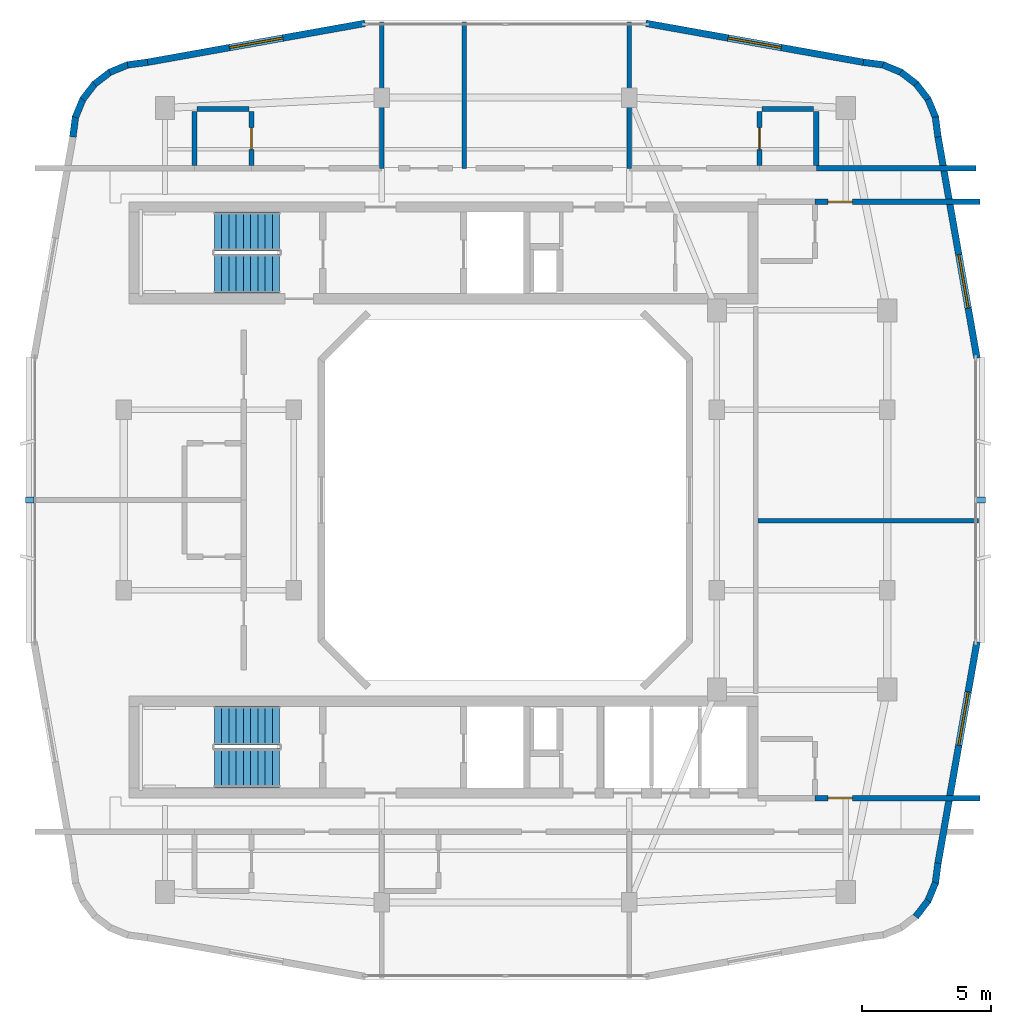
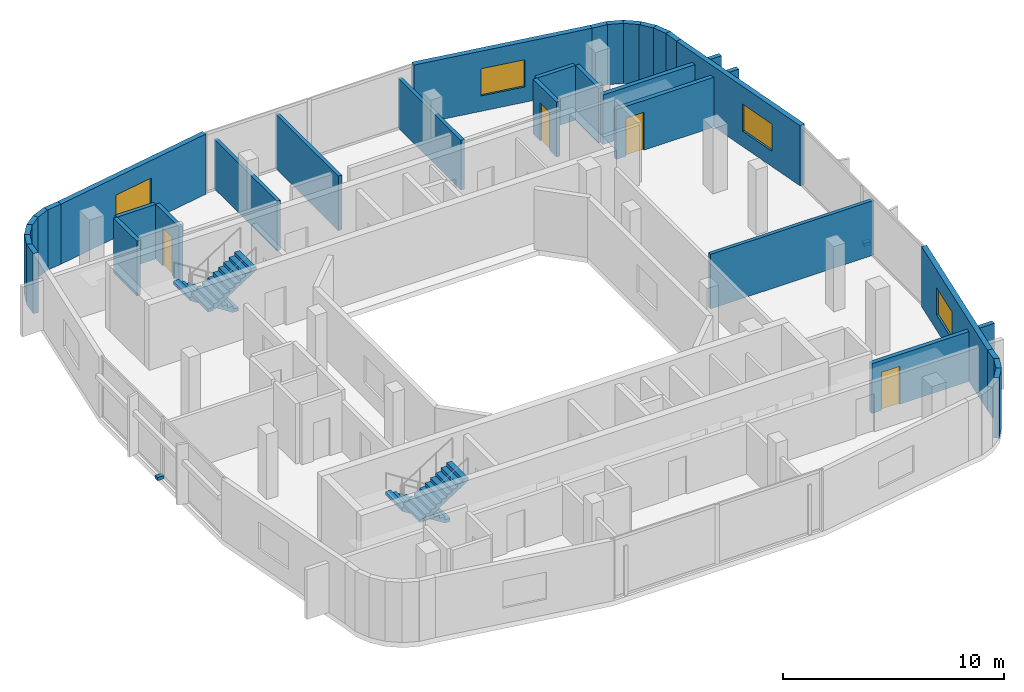
# One storey, part 7 of 10: 32 walls, 4 doors, 4 stair flights, 4 windows, 2 discrete accessories, 8 openings, 2 elements without a shape of their own.
"""IFC4 building model written with IfcOpenShell, lengths in metres."""

from ifc_helpers import new_model, si_unit, derived_unit, direction, frame, frame_2d, origin, origin_2d, place, context, subcontext, project, spatial, polyline, rectangle, outline, extrude, material, layer, layer_set, type_object, element, fill, aggregate, save


model = new_model("IFC4")

# Units and contexts
model_context = context("Model", 3, precision=1e-05, world=origin(), true_north=direction((0.0, 1.0)))
body_context = subcontext(model_context, "Body", "Model", "MODEL_VIEW")
ifc_project = project(units=[si_unit("LENGTHUNIT", "METRE"), si_unit("AREAUNIT", "SQUARE_METRE"), si_unit("VOLUMEUNIT", "CUBIC_METRE"), si_unit("PLANEANGLEUNIT", "RADIAN"), si_unit("MASSUNIT", "GRAM", prefix="KILO"), derived_unit("THERMALTRANSMITTANCEUNIT", [(si_unit("POWERUNIT", "WATT"), 1), (si_unit("LENGTHUNIT", "METRE"), -2), (si_unit("THERMODYNAMICTEMPERATUREUNIT", "KELVIN"), -1)])], contexts=[model_context])

# Site, building, storey
site_placement = place(None, origin())
site = spatial("IfcSite", under=ifc_project, at=site_placement, CompositionType="ELEMENT")
building_placement = place(site_placement, origin())
building = spatial("IfcBuilding", under=site, at=building_placement, Name="Kivonza Crest Hotel", CompositionType="ELEMENT")
storey_placement = place(building_placement, frame((0.0, 0.0, 246.800048828125)))
storey = spatial("IfcBuildingStorey", under=building, at=storey_placement, Name="L67", CompositionType="ELEMENT", Elevation=246.800048828125)

# Walls
ifc_material_1 = material(Name="High-density acoustic masonry inter-tenancy wall", Category="masonry")
ifc_layer_1 = layer(ifc_material_1, 0.179931640625)
ifc_layer_set_1 = layer_set([ifc_layer_1], Name="High-density acoustic masonry inter-tenancy wall")
wall_type_1 = type_object("IfcWallType", Name="WL-ACOU-180", PredefinedType="SOLIDWALL", material=ifc_layer_set_1)
wall_1_placement = place(storey_placement, frame((16.199951171875, 37.860107421875, 0.0), z_axis=(0.0, 0.0, 1.0), x_axis=(0.0, 1.0, 0.0)))
element("IfcWall", 1, at=wall_1_placement, inside=storey, type_object=wall_type_1, Name="L67 interior partition WA-L67-T1N-DIV1", PredefinedType="SOLIDWALL", context=body_context, shape_type="SweptSolid", body=[
    extrude(rectangle(XDim=5.679931640625, YDim=0.179931640625, at=frame_2d((2.83984375, 0.0))), origin(), (0.0, 0.0, 1.0), 2.744873046875),
])
wall_2_placement = place(storey_placement, frame((19.39990234375, 37.860107421875, 0.0), z_axis=(0.0, 0.0, 1.0), x_axis=(0.0, 1.0, 0.0)))
element("IfcWall", 2, at=wall_2_placement, inside=storey, type_object=wall_type_1, Name="L67 interior partition WA-L67-T1N-SPDIV66", PredefinedType="SOLIDWALL", context=body_context, shape_type="SweptSolid", body=[
    extrude(rectangle(XDim=5.679931640625, YDim=0.179931640625, at=frame_2d((2.83984375, 0.0))), origin(), (0.0, 0.0, 1.0), 3.014892578125),
])
wall_3_placement = place(storey_placement, frame((25.800048828125, 37.860107421875, 0.0), z_axis=(0.0, 0.0, 1.0), x_axis=(0.0, 1.0, 0.0)))
element("IfcWall", 3, at=wall_3_placement, inside=storey, type_object=wall_type_1, Name="L67 interior partition WA-L67-T1N-DIV2", PredefinedType="SOLIDWALL", context=body_context, shape_type="SweptSolid", body=[
    extrude(rectangle(XDim=5.679931640625, YDim=0.179931640625, at=frame_2d((2.83984375, 0.0))), origin(), (0.0, 0.0, 1.0), 2.744873046875),
])
wall_4_placement = place(storey_placement, frame((30.800048828125, 24.199951171875, 0.0), z_axis=(0.0, 0.0, 1.0), x_axis=(1.0, 0.0, 0.0)))
element("IfcWall", 4, at=wall_4_placement, inside=storey, type_object=wall_type_1, Name="L67 interior partition WA-L67-T1EC-DIV", PredefinedType="SOLIDWALL", context=body_context, shape_type="SweptSolid", body=[
    extrude(rectangle(XDim=8.5400390625, YDim=0.179931640625, at=frame_2d((4.27001953125, 0.0))), origin(), (0.0, 0.0, 1.0), 3.014892578125),
])
ifc_material_2 = material(Name="Autoclaved aerated concrete blockwork", Category="masonry")
ifc_layer_2 = layer(ifc_material_2, 0.219970703125)
ifc_layer_set_2 = layer_set([ifc_layer_2], Name="Autoclaved aerated concrete blockwork")
wall_type_2 = type_object("IfcWallType", Name="WL-ACOU-220", PredefinedType="SOLIDWALL", material=ifc_layer_set_2)
wall_5_placement = place(storey_placement, frame((33.050048828125, 37.860107421875, 0.0), z_axis=(0.0, 0.0, 1.0), x_axis=(1.0, 0.0, 0.0)))
element("IfcWall", 5, at=wall_5_placement, inside=storey, type_object=wall_type_2, Name="L67 interior partition WA-L67-N02-XCORR", PredefinedType="SOLIDWALL", context=body_context, shape_type="SweptSolid", body=[
    extrude(rectangle(XDim=6.18994140625, YDim=0.219970703125, at=frame_2d((3.094970703125, 0.0))), origin(), (0.0, 0.0, 1.0), 2.744873046875),
])

# Wall, opening, door
wall_6_placement = place(storey_placement, frame((33.0, 13.43994140625, 0.0), z_axis=(0.0, 0.0, 1.0), x_axis=(1.0, 0.0, 0.0)))
wall_6 = element("IfcWall", 6, at=wall_6_placement, inside=storey, type_object=wall_type_2, Name="L67 interior partition WA-L67-ES07-MCORR", PredefinedType="SOLIDWALL", context=body_context, shape_type="SweptSolid", body=[
    extrude(rectangle(XDim=6.39990234375, YDim=0.219970703125, at=frame_2d((3.199951171875, 0.0))), origin(), (0.0, 0.0, 1.0), 2.744873046875),
])
opening_1_placement = place(wall_6_placement, frame((0.5, 0.0, 0.0)))
opening_1 = element("IfcOpeningElement", 7, at=opening_1_placement, cuts=wall_6, Name="Opening DU-60", PredefinedType="OPENING", context=body_context, shape_type="SweptSolid", body=[
    extrude(rectangle(XDim=0.949951171875, YDim=2.10009765625, at=frame_2d((0.47509765625, 1.050048828125))), frame((0.0, 0.1201171875, 0.0), z_axis=(0.0, -1.0, 0.0), x_axis=(1.0, 0.0, 0.0)), (0.0, 0.0, 1.0), 0.239990234375),
])
ifc_material_3 = material(Name="Hardwood timber oak", Category="wood")
door_type_1 = type_object("IfcDoorType", Name="DR-UNIT-950", OperationType="NOTDEFINED", PredefinedType="DOOR", material=ifc_material_3)
door_1_placement = place(opening_1_placement, origin())
door_1 = element("IfcDoor", 8, at=door_1_placement, inside=storey, type_object=door_type_1, Name="L67 ES07 guest unit entrance fire door", OperationType="SINGLE_SWING_RIGHT", OverallHeight=2.10009765625, OverallWidth=0.949951171875, PredefinedType="DOOR", context=body_context, shape_type="SweptSolid", body=[
    extrude(rectangle(XDim=0.949951171875, YDim=2.10009765625, at=frame_2d((0.47509765625, 1.050048828125))), frame((0.0, 0.02490234375, 0.0), z_axis=(0.0, -1.0, 0.0), x_axis=(1.0, 0.0, 0.0)), (0.0, 0.0, 1.0), 0.050048828125),
])
fill(opening_1, door_1)

wall_7_placement = place(storey_placement, frame((33.0, 36.56005859375, 0.0), z_axis=(0.0, 0.0, 1.0), x_axis=(1.0, 0.0, 0.0)))
wall_7 = element("IfcWall", 9, at=wall_7_placement, inside=storey, type_object=wall_type_2, Name="L67 interior partition WA-L67-EN08-MCORR", PredefinedType="SOLIDWALL", context=body_context, shape_type="SweptSolid", body=[
    extrude(rectangle(XDim=6.39990234375, YDim=0.219970703125, at=frame_2d((3.199951171875, 0.0))), origin(), (0.0, 0.0, 1.0), 2.744873046875),
])
opening_2_placement = place(wall_7_placement, frame((0.5, 0.0, 0.0)))
opening_2 = element("IfcOpeningElement", 10, at=opening_2_placement, cuts=wall_7, Name="Opening DU-60", PredefinedType="OPENING", context=body_context, shape_type="SweptSolid", body=[
    extrude(rectangle(XDim=0.949951171875, YDim=2.10009765625, at=frame_2d((0.47509765625, 1.050048828125))), frame((0.0, 0.1201171875, 0.0), z_axis=(0.0, -1.0, 0.0), x_axis=(1.0, 0.0, 0.0)), (0.0, 0.0, 1.0), 0.239990234375),
])
door_2_placement = place(opening_2_placement, frame((0.949951171875, 0.0, 0.0), z_axis=(0.0, 0.0, 1.0), x_axis=(-1.0, 0.0, 0.0)))
door_2 = element("IfcDoor", 11, at=door_2_placement, inside=storey, type_object=door_type_1, Name="L67 EN08 guest unit entrance fire door", OperationType="SINGLE_SWING_LEFT", OverallHeight=2.10009765625, OverallWidth=0.949951171875, PredefinedType="DOOR", context=body_context, shape_type="SweptSolid", body=[
    extrude(rectangle(XDim=0.949951171875, YDim=2.10009765625, at=frame_2d((0.47509765625, 1.050048828125))), frame((0.0, 0.02490234375, 0.0), z_axis=(0.0, -1.0, 0.0), x_axis=(1.0, 0.0, 0.0)), (0.0, 0.0, 1.0), 0.050048828125),
])
fill(opening_2, door_2)

# Walls
ifc_material_4 = material(Name="Precast concrete C40/50", Category="concrete")
ifc_layer_3 = layer(ifc_material_4, 0.260009765625)
ifc_layer_set_3 = layer_set([ifc_layer_3], Name="Precast concrete C40/50")
wall_type_3 = type_object("IfcWallType", Name="WL-EXT-260", PredefinedType="STANDARD", material=ifc_layer_set_3)
wall_8_placement = place(storey_placement, frame((36.903076171875, 8.837890625, 0.0), z_axis=(0.0, 0.0, 1.0), x_axis=(0.608823262828, 0.793305889705, 0.0)))
element("IfcWall", 12, at=wall_8_placement, inside=storey, type_object=wall_type_3, Name="L67 T1 exterior insulated wall 13", PredefinedType="STANDARD", context=body_context, shape_type="SweptSolid", body=[
    extrude(rectangle(XDim=0.798095703125, YDim=0.260009765625, at=frame_2d((0.39892578125, 0.0))), origin(), (0.0, 0.0, 1.0), 3.320068359375),
])
wall_9_placement = place(storey_placement, frame((37.367919921875, 9.427001953125, 0.0), z_axis=(0.0, 0.0, 1.0), x_axis=(0.383161279238, 0.923681457047, 0.0)))
element("IfcWall", 13, at=wall_9_placement, inside=storey, type_object=wall_type_3, Name="L67 T1 exterior insulated wall 14", PredefinedType="STANDARD", context=body_context, shape_type="SweptSolid", body=[
    extrude(rectangle(XDim=0.799072265625, YDim=0.260009765625, at=frame_2d((0.3994140625, 0.0))), origin(), (0.0, 0.0, 1.0), 3.320068359375),
])
wall_10_placement = place(storey_placement, frame((37.666015625, 10.115966796875, 0.0), z_axis=(0.0, 0.0, 1.0), x_axis=(0.129850802102, 0.99153354416, 0.0)))
element("IfcWall", 14, at=wall_10_placement, inside=storey, type_object=wall_type_3, Name="L67 T1 exterior insulated wall 15", PredefinedType="STANDARD", context=body_context, shape_type="SweptSolid", body=[
    extrude(rectangle(XDim=0.81591796875, YDim=0.260009765625, at=frame_2d((0.407958984375, 0.0))), origin(), (0.0, 0.0, 1.0), 3.320068359375),
])

# Wall, opening, window
wall_11_placement = place(storey_placement, frame((37.77099609375, 10.9150390625, 0.0), z_axis=(0.0, 0.0, 1.0), x_axis=(0.173396937698, 0.984852020355, 0.0)))
wall_11 = element("IfcWall", 15, at=wall_11_placement, inside=storey, type_object=wall_type_3, Name="L67 T1 exterior insulated wall 16", PredefinedType="STANDARD", context=body_context, shape_type="SweptSolid", body=[
    extrude(rectangle(XDim=8.714111328125, YDim=0.260009765625, at=frame_2d((4.35693359375, 0.0))), origin(), (0.0, 0.0, 1.0), 3.320068359375),
])
opening_3_placement = place(wall_11_placement, frame((4.64697265625, 0.0, 0.85009765625)))
opening_3 = element("IfcOpeningElement", 16, at=opening_3_placement, cuts=wall_11, Name="Opening WN-04", PredefinedType="OPENING", context=body_context, shape_type="SweptSolid", body=[
    extrude(rectangle(XDim=2.10009765625, YDim=1.5, at=frame_2d((1.050048828125, 0.75))), frame((0.0, 0.14013671875, 0.0), z_axis=(0.0, -1.0, 0.0), x_axis=(1.0, 0.0, 0.0)), (0.0, 0.0, 1.0), 0.280029296875),
])
ifc_material_5 = material(Name="Thermally broken bronze aluminium and low-E double glazing", Category="aluminium")
window_type = type_object("IfcWindowType", Name="WN-210x150", PartitioningType="DOUBLE_PANEL_VERTICAL", PredefinedType="WINDOW", material=ifc_material_5)
window_1_placement = place(opening_3_placement, origin())
window_1 = element("IfcWindow", 17, at=window_1_placement, inside=storey, type_object=window_type, Name="L67 T1 facade window 16", OverallHeight=1.5, OverallWidth=2.10009765625, PartitioningType="SINGLE_PANEL", PredefinedType="WINDOW", context=body_context, shape_type="SweptSolid", body=[
    extrude(rectangle(XDim=2.10009765625, YDim=1.5, at=frame_2d((1.050048828125, 0.75))), frame((0.0, 0.030029296875, 0.0), z_axis=(0.0, -1.0, 0.0), x_axis=(1.0, 0.0, 0.0)), (0.0, 0.0, 1.0), 0.06005859375),
])
fill(opening_3, window_1)

wall_12_placement = place(storey_placement, frame((39.281982421875, 30.5029296875, 0.0), z_axis=(0.0, 0.0, 1.0), x_axis=(-0.173396937698, 0.984852020355, 0.0)))
wall_12 = element("IfcWall", 18, at=wall_12_placement, inside=storey, type_object=wall_type_3, Name="L67 T1 exterior insulated wall 18", PredefinedType="STANDARD", context=body_context, shape_type="SweptSolid", body=[
    extrude(rectangle(XDim=8.714111328125, YDim=0.260009765625, at=frame_2d((4.35693359375, 0.0))), origin(), (0.0, 0.0, 1.0), 3.320068359375),
])
opening_4_placement = place(wall_12_placement, frame((1.967041015625, 0.0, 0.85009765625)))
opening_4 = element("IfcOpeningElement", 19, at=opening_4_placement, cuts=wall_12, Name="Opening WN-04", PredefinedType="OPENING", context=body_context, shape_type="SweptSolid", body=[
    extrude(rectangle(XDim=2.10009765625, YDim=1.5, at=frame_2d((1.050048828125, 0.75))), frame((0.0, 0.14013671875, 0.0), z_axis=(0.0, -1.0, 0.0), x_axis=(1.0, 0.0, 0.0)), (0.0, 0.0, 1.0), 0.280029296875),
])
window_2_placement = place(opening_4_placement, origin())
window_2 = element("IfcWindow", 20, at=window_2_placement, inside=storey, type_object=window_type, Name="L67 T1 facade window 18", OverallHeight=1.5, OverallWidth=2.10009765625, PartitioningType="SINGLE_PANEL", PredefinedType="WINDOW", context=body_context, shape_type="SweptSolid", body=[
    extrude(rectangle(XDim=2.10009765625, YDim=1.5, at=frame_2d((1.050048828125, 0.75))), frame((0.0, 0.030029296875, 0.0), z_axis=(0.0, -1.0, 0.0), x_axis=(1.0, 0.0, 0.0)), (0.0, 0.0, 1.0), 0.06005859375),
])
fill(opening_4, window_2)

# Walls
wall_13_placement = place(storey_placement, frame((37.77197265625, 39.074951171875, 0.0), z_axis=(0.0, 0.0, 1.0), x_axis=(-0.130689052056, 0.991423406861, 0.0)))
element("IfcWall", 21, at=wall_13_placement, inside=storey, type_object=wall_type_3, Name="L67 T1 exterior insulated wall 19", PredefinedType="STANDARD", context=body_context, shape_type="SweptSolid", body=[
    extrude(rectangle(XDim=0.78076171875, YDim=0.260009765625, at=frame_2d((0.390380859375, 0.0))), origin(), (0.0, 0.0, 1.0), 3.320068359375),
])
wall_14_placement = place(storey_placement, frame((37.68798828125, 39.802978515625, 0.0), z_axis=(0.0, 0.0, 1.0), x_axis=(-0.382900540965, 0.923789573295, 0.0)))
element("IfcWall", 22, at=wall_14_placement, inside=storey, type_object=wall_type_3, Name="L67 T1 exterior insulated wall 20", PredefinedType="STANDARD", context=body_context, shape_type="SweptSolid", body=[
    extrude(rectangle(XDim=0.798828125, YDim=0.260009765625, at=frame_2d((0.3994140625, 0.0))), origin(), (0.0, 0.0, 1.0), 3.320068359375),
])
wall_15_placement = place(storey_placement, frame((37.409912109375, 40.5009765625, 0.0), z_axis=(0.0, 0.0, 1.0), x_axis=(-0.608823262828, 0.793305889705, 0.0)))
element("IfcWall", 23, at=wall_15_placement, inside=storey, type_object=wall_type_3, Name="L67 T1 exterior insulated wall 21", PredefinedType="STANDARD", context=body_context, shape_type="SweptSolid", body=[
    extrude(rectangle(XDim=0.798095703125, YDim=0.260009765625, at=frame_2d((0.39892578125, 0.0))), origin(), (0.0, 0.0, 1.0), 3.320068359375),
])
wall_16_placement = place(storey_placement, frame((36.9619140625, 41.10302734375, 0.0), z_axis=(0.0, 0.0, 1.0), x_axis=(-0.793044635519, 0.60916352983, 0.0)))
element("IfcWall", 24, at=wall_16_placement, inside=storey, type_object=wall_type_3, Name="L67 T1 exterior insulated wall 22", PredefinedType="STANDARD", context=body_context, shape_type="SweptSolid", body=[
    extrude(rectangle(XDim=0.7978515625, YDim=0.260009765625, at=frame_2d((0.39892578125, 0.0))), origin(), (0.0, 0.0, 1.0), 3.320068359375),
])
wall_17_placement = place(storey_placement, frame((36.373046875, 41.568115234375, 0.0), z_axis=(0.0, 0.0, 1.0), x_axis=(-0.923789573295, 0.382900540965, 0.0)))
element("IfcWall", 25, at=wall_17_placement, inside=storey, type_object=wall_type_3, Name="L67 T1 exterior insulated wall 23", PredefinedType="STANDARD", context=body_context, shape_type="SweptSolid", body=[
    extrude(rectangle(XDim=0.798828125, YDim=0.260009765625, at=frame_2d((0.3994140625, 0.0))), origin(), (0.0, 0.0, 1.0), 3.320068359375),
])
wall_18_placement = place(storey_placement, frame((35.68408203125, 41.865966796875, 0.0), z_axis=(0.0, 0.0, 1.0), x_axis=(-0.99153354416, 0.129850802102, 0.0)))
element("IfcWall", 26, at=wall_18_placement, inside=storey, type_object=wall_type_3, Name="L67 T1 exterior insulated wall 24", PredefinedType="STANDARD", context=body_context, shape_type="SweptSolid", body=[
    extrude(rectangle(XDim=0.81591796875, YDim=0.260009765625, at=frame_2d((0.407958984375, 0.0))), origin(), (0.0, 0.0, 1.0), 3.320068359375),
])

# Wall, opening, window
wall_19_placement = place(storey_placement, frame((34.885009765625, 41.970947265625, 0.0), z_axis=(0.0, 0.0, 1.0), x_axis=(-0.98435676639, 0.176186709098, 0.0)))
wall_19 = element("IfcWall", 27, at=wall_19_placement, inside=storey, type_object=wall_type_3, Name="L67 T1 exterior insulated wall 25", PredefinedType="STANDARD", context=body_context, shape_type="SweptSolid", body=[
    extrude(rectangle(XDim=8.576171875, YDim=0.260009765625, at=frame_2d((4.2880859375, 0.0))), origin(), (0.0, 0.0, 1.0), 3.320068359375),
])
opening_5_placement = place(wall_19_placement, frame((3.238037109375, 0.0, 0.85009765625)))
opening_5 = element("IfcOpeningElement", 28, at=opening_5_placement, cuts=wall_19, Name="Opening WN-04", PredefinedType="OPENING", context=body_context, shape_type="SweptSolid", body=[
    extrude(rectangle(XDim=2.10009765625, YDim=1.5, at=frame_2d((1.050048828125, 0.75))), frame((0.0, 0.14013671875, 0.0), z_axis=(0.0, -1.0, 0.0), x_axis=(1.0, 0.0, 0.0)), (0.0, 0.0, 1.0), 0.280029296875),
])
window_3_placement = place(opening_5_placement, origin())
window_3 = element("IfcWindow", 29, at=window_3_placement, inside=storey, type_object=window_type, Name="L67 T1 facade window 25", OverallHeight=1.5, OverallWidth=2.10009765625, PartitioningType="SINGLE_PANEL", PredefinedType="WINDOW", context=body_context, shape_type="SweptSolid", body=[
    extrude(rectangle(XDim=2.10009765625, YDim=1.5, at=frame_2d((1.050048828125, 0.75))), frame((0.0, 0.030029296875, 0.0), z_axis=(0.0, -1.0, 0.0), x_axis=(1.0, 0.0, 0.0)), (0.0, 0.0, 1.0), 0.06005859375),
])
fill(opening_5, window_3)

wall_20_placement = place(storey_placement, frame((15.556884765625, 43.48193359375, 0.0), z_axis=(0.0, 0.0, 1.0), x_axis=(-0.98435676639, -0.176186709098, 0.0)))
wall_20 = element("IfcWall", 30, at=wall_20_placement, inside=storey, type_object=wall_type_3, Name="L67 T1 exterior insulated wall 27", PredefinedType="STANDARD", context=body_context, shape_type="SweptSolid", body=[
    extrude(rectangle(XDim=8.576171875, YDim=0.260009765625, at=frame_2d((4.2880859375, 0.0))), origin(), (0.0, 0.0, 1.0), 3.320068359375),
])
opening_6_placement = place(wall_20_placement, frame((3.238037109375, 0.0, 0.85009765625)))
opening_6 = element("IfcOpeningElement", 31, at=opening_6_placement, cuts=wall_20, Name="Opening WN-04", PredefinedType="OPENING", context=body_context, shape_type="SweptSolid", body=[
    extrude(rectangle(XDim=2.10009765625, YDim=1.5, at=frame_2d((1.050048828125, 0.75))), frame((0.0, 0.14013671875, 0.0), z_axis=(0.0, -1.0, 0.0), x_axis=(1.0, 0.0, 0.0)), (0.0, 0.0, 1.0), 0.280029296875),
])
window_4_placement = place(opening_6_placement, origin())
window_4 = element("IfcWindow", 32, at=window_4_placement, inside=storey, type_object=window_type, Name="L67 T1 facade window 27", OverallHeight=1.5, OverallWidth=2.10009765625, PartitioningType="SINGLE_PANEL", PredefinedType="WINDOW", context=body_context, shape_type="SweptSolid", body=[
    extrude(rectangle(XDim=2.10009765625, YDim=1.5, at=frame_2d((1.050048828125, 0.75))), frame((0.0, 0.030029296875, 0.0), z_axis=(0.0, -1.0, 0.0), x_axis=(1.0, 0.0, 0.0)), (0.0, 0.0, 1.0), 0.06005859375),
])
fill(opening_6, window_4)

# Walls
wall_21_placement = place(storey_placement, frame((7.125, 41.971923828125, 0.0), z_axis=(0.0, 0.0, 1.0), x_axis=(-0.991458553189, -0.130422150372, 0.0)))
element("IfcWall", 33, at=wall_21_placement, inside=storey, type_object=wall_type_3, Name="L67 T1 exterior insulated wall 28", PredefinedType="STANDARD", context=body_context, shape_type="SweptSolid", body=[
    extrude(rectangle(XDim=0.780517578125, YDim=0.260009765625, at=frame_2d((0.39013671875, 0.0))), origin(), (0.0, 0.0, 1.0), 3.320068359375),
])
wall_22_placement = place(storey_placement, frame((6.39697265625, 41.887939453125, 0.0), z_axis=(0.0, 0.0, 1.0), x_axis=(-0.923789573295, -0.382900540965, 0.0)))
element("IfcWall", 34, at=wall_22_placement, inside=storey, type_object=wall_type_3, Name="L67 T1 exterior insulated wall 29", PredefinedType="STANDARD", context=body_context, shape_type="SweptSolid", body=[
    extrude(rectangle(XDim=0.798828125, YDim=0.260009765625, at=frame_2d((0.3994140625, 0.0))), origin(), (0.0, 0.0, 1.0), 3.320068359375),
])
for number, where, z_axis, x_axis, name in (
    (35, (5.698974609375, 41.610107421875, 0.0), (0.0, 0.0, 1.0), (-0.793158129381, -0.609015748398, 0.0), "L67 T1 exterior insulated wall 30"),
    (36, (5.096923828125, 41.162109375, 0.0), (0.0, 0.0, 1.0), (-0.608823262828, -0.793305889705, 0.0), "L67 T1 exterior insulated wall 31"),
):
    element("IfcWall", number, at=place(storey_placement, frame(where, z_axis=z_axis, x_axis=x_axis)), inside=storey, type_object=wall_type_3, Name=name, PredefinedType="STANDARD", context=body_context, shape_type="SweptSolid", body=[
        extrude(rectangle(XDim=0.798095703125, YDim=0.260009765625, at=frame_2d((0.39892578125, 0.0))), origin(), (0.0, 0.0, 1.0), 3.320068359375),
    ])
wall_23_placement = place(storey_placement, frame((4.632080078125, 40.572998046875, 0.0), z_axis=(0.0, 0.0, 1.0), x_axis=(-0.383161279238, -0.923681457047, 0.0)))
element("IfcWall", 37, at=wall_23_placement, inside=storey, type_object=wall_type_3, Name="L67 T1 exterior insulated wall 32", PredefinedType="STANDARD", context=body_context, shape_type="SweptSolid", body=[
    extrude(rectangle(XDim=0.799072265625, YDim=0.260009765625, at=frame_2d((0.3994140625, 0.0))), origin(), (0.0, 0.0, 1.0), 3.320068359375),
])
wall_24_placement = place(storey_placement, frame((4.333984375, 39.884033203125, 0.0), z_axis=(0.0, 0.0, 1.0), x_axis=(-0.129850802102, -0.99153354416, 0.0)))
element("IfcWall", 38, at=wall_24_placement, inside=storey, type_object=wall_type_3, Name="L67 T1 exterior insulated wall 33", PredefinedType="STANDARD", context=body_context, shape_type="SweptSolid", body=[
    extrude(rectangle(XDim=0.81591796875, YDim=0.260009765625, at=frame_2d((0.407958984375, 0.0))), origin(), (0.0, 0.0, 1.0), 3.320068359375),
])

# Wall, opening, door
ifc_material_6 = material(Name="Moisture-resistant plumbing chase partition wall", Category="gypsum")
ifc_layer_4 = layer(ifc_material_6, 0.199951171875)
ifc_layer_set_4 = layer_set([ifc_layer_4], Name="Moisture-resistant plumbing chase partition wall")
wall_type_4 = type_object("IfcWallType", Name="WL-PLUMB-200", PredefinedType="PLUMBINGWALL", material=ifc_layer_set_4)
wall_25_placement = place(storey_placement, frame((11.14990234375, 37.9599609375, 0.0), z_axis=(0.0, 0.0, 1.0), x_axis=(0.0, 1.0, 0.0)))
wall_25 = element("IfcWall", 39, at=wall_25_placement, inside=storey, type_object=wall_type_4, Name="L67 interior partition WW-L67-N01-BV", PredefinedType="PLUMBINGWALL", context=body_context, shape_type="SweptSolid", body=[
    extrude(rectangle(XDim=2.10009765625, YDim=0.199951171875, at=frame_2d((1.050048828125, 0.0))), origin(), (0.0, 0.0, 1.0), 3.02490234375),
])
opening_7_placement = place(wall_25_placement, frame((0.625, 0.0, 0.0)))
opening_7 = element("IfcOpeningElement", 40, at=opening_7_placement, cuts=wall_25, Name="Opening DI-85", PredefinedType="OPENING", context=body_context, shape_type="SweptSolid", body=[
    extrude(rectangle(XDim=0.85009765625, YDim=2.10009765625, at=frame_2d((0.425048828125, 1.050048828125))), frame((0.0, 0.10986328125, 0.0), z_axis=(0.0, -1.0, 0.0), x_axis=(1.0, 0.0, 0.0)), (0.0, 0.0, 1.0), 0.219970703125),
])
door_type_2 = type_object("IfcDoorType", Name="DR-INT-850", OperationType="NOTDEFINED", PredefinedType="DOOR", material=ifc_material_3)
door_3_placement = place(opening_7_placement, frame((0.85009765625, 0.0, 0.0), z_axis=(0.0, 0.0, 1.0), x_axis=(-1.0, 0.0, 0.0)))
door_3 = element("IfcDoor", 41, at=door_3_placement, inside=storey, type_object=door_type_2, Name="L67 N01 en-suite bathroom door", OperationType="SINGLE_SWING_RIGHT", OverallHeight=2.10009765625, OverallWidth=0.85009765625, PredefinedType="DOOR", context=body_context, shape_type="SweptSolid", body=[
    extrude(rectangle(XDim=0.85009765625, YDim=2.10009765625, at=frame_2d((0.425048828125, 1.050048828125))), frame((0.0, 0.02490234375, 0.0), z_axis=(0.0, -1.0, 0.0), x_axis=(1.0, 0.0, 0.0)), (0.0, 0.0, 1.0), 0.050048828125),
])
fill(opening_7, door_3)

# Walls
wall_26_placement = place(storey_placement, frame((9.050048828125, 40.159912109375, 0.0), z_axis=(0.0, 0.0, 1.0), x_axis=(1.0, 0.0, 0.0)))
element("IfcWall", 42, at=wall_26_placement, inside=storey, type_object=wall_type_4, Name="L67 interior partition WW-L67-N01-BH", PredefinedType="PLUMBINGWALL", context=body_context, shape_type="SweptSolid", body=[
    extrude(rectangle(XDim=2.0, YDim=0.199951171875, at=frame_2d((1.0, 0.0))), origin(), (0.0, 0.0, 1.0), 3.014892578125),
])
wall_27_placement = place(storey_placement, frame((8.949951171875, 37.9599609375, 0.0), z_axis=(0.0, 0.0, 1.0), x_axis=(0.0, 1.0, 0.0)))
element("IfcWall", 43, at=wall_27_placement, inside=storey, type_object=wall_type_4, Name="L67 interior partition WW-L67-N01-BVW", PredefinedType="PLUMBINGWALL", context=body_context, shape_type="SweptSolid", body=[
    extrude(rectangle(XDim=2.10009765625, YDim=0.199951171875, at=frame_2d((1.050048828125, 0.0))), origin(), (0.0, 0.0, 1.0), 3.02490234375),
])

# Wall, opening, door
wall_28_placement = place(storey_placement, frame((30.85009765625, 37.9599609375, 0.0), z_axis=(0.0, 0.0, 1.0), x_axis=(0.0, 1.0, 0.0)))
wall_28 = element("IfcWall", 44, at=wall_28_placement, inside=storey, type_object=wall_type_4, Name="L67 interior partition WW-L67-N02-BV", PredefinedType="PLUMBINGWALL", context=body_context, shape_type="SweptSolid", body=[
    extrude(rectangle(XDim=2.10009765625, YDim=0.199951171875, at=frame_2d((1.050048828125, 0.0))), origin(), (0.0, 0.0, 1.0), 3.02490234375),
])
opening_8_placement = place(wall_28_placement, frame((0.625, 0.0, 0.0)))
opening_8 = element("IfcOpeningElement", 45, at=opening_8_placement, cuts=wall_28, Name="Opening DI-85", PredefinedType="OPENING", context=body_context, shape_type="SweptSolid", body=[
    extrude(rectangle(XDim=0.85009765625, YDim=2.10009765625, at=frame_2d((0.425048828125, 1.050048828125))), frame((0.0, 0.10986328125, 0.0), z_axis=(0.0, -1.0, 0.0), x_axis=(1.0, 0.0, 0.0)), (0.0, 0.0, 1.0), 0.219970703125),
])
door_4_placement = place(opening_8_placement, origin())
door_4 = element("IfcDoor", 46, at=door_4_placement, inside=storey, type_object=door_type_2, Name="L67 N02 en-suite bathroom door", OperationType="SINGLE_SWING_LEFT", OverallHeight=2.10009765625, OverallWidth=0.85009765625, PredefinedType="DOOR", context=body_context, shape_type="SweptSolid", body=[
    extrude(rectangle(XDim=0.85009765625, YDim=2.10009765625, at=frame_2d((0.425048828125, 1.050048828125))), frame((0.0, 0.02490234375, 0.0), z_axis=(0.0, -1.0, 0.0), x_axis=(1.0, 0.0, 0.0)), (0.0, 0.0, 1.0), 0.050048828125),
])
fill(opening_8, door_4)

# Walls
wall_29_placement = place(storey_placement, frame((30.949951171875, 40.159912109375, 0.0), z_axis=(0.0, 0.0, 1.0), x_axis=(1.0, 0.0, 0.0)))
element("IfcWall", 47, at=wall_29_placement, inside=storey, type_object=wall_type_4, Name="L67 interior partition WW-L67-N02-BH", PredefinedType="PLUMBINGWALL", context=body_context, shape_type="SweptSolid", body=[
    extrude(rectangle(XDim=2.0, YDim=0.199951171875, at=frame_2d((1.0, 0.0))), origin(), (0.0, 0.0, 1.0), 3.014892578125),
])
wall_30_placement = place(storey_placement, frame((33.050048828125, 37.9599609375, 0.0), z_axis=(0.0, 0.0, 1.0), x_axis=(0.0, 1.0, 0.0)))
element("IfcWall", 48, at=wall_30_placement, inside=storey, type_object=wall_type_4, Name="L67 interior partition WW-L67-N02-BVE", PredefinedType="PLUMBINGWALL", context=body_context, shape_type="SweptSolid", body=[
    extrude(rectangle(XDim=2.10009765625, YDim=0.199951171875, at=frame_2d((1.050048828125, 0.0))), origin(), (0.0, 0.0, 1.0), 3.02490234375),
])

# Stair, stair flights
ifc_material_7 = material(Name="Concrete C40/50", Category="concrete")
stair_type = type_object("IfcStairType", Name="ST-DL-20R", PredefinedType="HALF_TURN_STAIR", material=ifc_material_7)
stair_1_placement = place(storey_placement, origin())
stair_1 = element("IfcStair", 49, at=stair_1_placement, inside=storey, type_object=stair_type, Name="L67 Protected Exit Stair ST-T1-N", PredefinedType="HALF_TURN_STAIR")
stair_flight_type = type_object("IfcStairFlightType", Name="SFL-RC-10R", PredefinedType="STRAIGHT", material=ifc_material_7)
stair_flight_1_placement = place(storey_placement, frame((12.239990234375, 35.409912109375, 0.0), z_axis=(0.0, 0.0, 1.0), x_axis=(-1.0, 0.0, 0.0)))
stair_flight_1 = element("IfcStairFlight", 50, at=stair_flight_1_placement, type_object=stair_flight_type, Name="ST-T1-N flight 1", NumberOfRisers=10, NumberOfTreads=9, PredefinedType="STRAIGHT", RiserHeight=0.18, TreadLength=0.28, context=body_context, shape_type="SweptSolid", body=[
    extrude(outline(polyline([(0.0, 0.0), (0.0, 0.179931640625), (0.280029296875, 0.179931640625), (0.280029296875, 0.360107421875), (0.56005859375, 0.360107421875), (0.56005859375, 0.5400390625), (0.840087890625, 0.5400390625), (0.840087890625, 0.719970703125), (1.1201171875, 0.719970703125), (1.1201171875, 0.89990234375), (1.39990234375, 0.89990234375), (1.39990234375, 1.080078125), (1.679931640625, 1.080078125), (1.679931640625, 1.260009765625), (1.9599609375, 1.260009765625), (1.9599609375, 1.43994140625), (2.239990234375, 1.43994140625), (2.239990234375, 1.6201171875), (2.52001953125, 1.6201171875), (2.52001953125, 1.800048828125), (2.52001953125, 1.44189453125), (0.277099609375, 0.0), (0.0, 0.0)])), frame((0.0, 0.75, 0.0), z_axis=(0.0, -1.0, 0.0), x_axis=(1.0, 0.0, 0.0)), (0.0, 0.0, 1.0), 1.5),
])
stair_flight_2_placement = place(storey_placement, frame((9.719970703125, 33.77001953125, 1.800048828125), z_axis=(0.0, 0.0, 1.0), x_axis=(1.0, 0.0, 0.0)))
stair_flight_2 = element("IfcStairFlight", 51, at=stair_flight_2_placement, type_object=stair_flight_type, Name="ST-T1-N flight 2", NumberOfRisers=10, NumberOfTreads=9, PredefinedType="STRAIGHT", RiserHeight=0.18, TreadLength=0.28, context=body_context, shape_type="SweptSolid", body=[
    extrude(outline(polyline([(0.0, 0.0), (0.0, 0.179931640625), (0.280029296875, 0.179931640625), (0.280029296875, 0.360107421875), (0.56005859375, 0.360107421875), (0.56005859375, 0.5400390625), (0.840087890625, 0.5400390625), (0.840087890625, 0.719970703125), (1.1201171875, 0.719970703125), (1.1201171875, 0.89990234375), (1.39990234375, 0.89990234375), (1.39990234375, 1.080078125), (1.679931640625, 1.080078125), (1.679931640625, 1.260009765625), (1.9599609375, 1.260009765625), (1.9599609375, 1.43994140625), (2.239990234375, 1.43994140625), (2.239990234375, 1.6201171875), (2.52001953125, 1.6201171875), (2.52001953125, 1.800048828125), (2.52001953125, 1.44189453125), (0.277099609375, 0.0), (0.0, 0.0)])), frame((0.0, 0.75, 0.0), z_axis=(0.0, -1.0, 0.0), x_axis=(1.0, 0.0, 0.0)), (0.0, 0.0, 1.0), 1.5),
])
aggregate(stair_1, [stair_flight_1, stair_flight_2])

stair_2_placement = place(storey_placement, origin())
stair_2 = element("IfcStair", 52, at=stair_2_placement, inside=storey, type_object=stair_type, Name="L67 Protected Exit Stair ST-T1-S", PredefinedType="HALF_TURN_STAIR")
stair_flight_3_placement = place(storey_placement, frame((12.239990234375, 16.25, 0.0), z_axis=(0.0, 0.0, 1.0), x_axis=(-1.0, 0.0, 0.0)))
stair_flight_3 = element("IfcStairFlight", 53, at=stair_flight_3_placement, type_object=stair_flight_type, Name="ST-T1-S flight 1", NumberOfRisers=10, NumberOfTreads=9, PredefinedType="STRAIGHT", RiserHeight=0.18, TreadLength=0.28, context=body_context, shape_type="SweptSolid", body=[
    extrude(outline(polyline([(0.0, 0.0), (0.0, 0.179931640625), (0.280029296875, 0.179931640625), (0.280029296875, 0.360107421875), (0.56005859375, 0.360107421875), (0.56005859375, 0.5400390625), (0.840087890625, 0.5400390625), (0.840087890625, 0.719970703125), (1.1201171875, 0.719970703125), (1.1201171875, 0.89990234375), (1.39990234375, 0.89990234375), (1.39990234375, 1.080078125), (1.679931640625, 1.080078125), (1.679931640625, 1.260009765625), (1.9599609375, 1.260009765625), (1.9599609375, 1.43994140625), (2.239990234375, 1.43994140625), (2.239990234375, 1.6201171875), (2.52001953125, 1.6201171875), (2.52001953125, 1.800048828125), (2.52001953125, 1.44189453125), (0.277099609375, 0.0), (0.0, 0.0)])), frame((0.0, 0.75, 0.0), z_axis=(0.0, -1.0, 0.0), x_axis=(1.0, 0.0, 0.0)), (0.0, 0.0, 1.0), 1.5),
])
stair_flight_4_placement = place(storey_placement, frame((9.719970703125, 14.610107421875, 1.800048828125), z_axis=(0.0, 0.0, 1.0), x_axis=(1.0, 0.0, 0.0)))
stair_flight_4 = element("IfcStairFlight", 54, at=stair_flight_4_placement, type_object=stair_flight_type, Name="ST-T1-S flight 2", NumberOfRisers=10, NumberOfTreads=9, PredefinedType="STRAIGHT", RiserHeight=0.18, TreadLength=0.28, context=body_context, shape_type="SweptSolid", body=[
    extrude(outline(polyline([(0.0, 0.0), (0.0, 0.179931640625), (0.280029296875, 0.179931640625), (0.280029296875, 0.360107421875), (0.56005859375, 0.360107421875), (0.56005859375, 0.5400390625), (0.840087890625, 0.5400390625), (0.840087890625, 0.719970703125), (1.1201171875, 0.719970703125), (1.1201171875, 0.89990234375), (1.39990234375, 0.89990234375), (1.39990234375, 1.080078125), (1.679931640625, 1.080078125), (1.679931640625, 1.260009765625), (1.9599609375, 1.260009765625), (1.9599609375, 1.43994140625), (2.239990234375, 1.43994140625), (2.239990234375, 1.6201171875), (2.52001953125, 1.6201171875), (2.52001953125, 1.800048828125), (2.52001953125, 1.44189453125), (0.277099609375, 0.0), (0.0, 0.0)])), frame((0.0, 0.75, 0.0), z_axis=(0.0, -1.0, 0.0), x_axis=(1.0, 0.0, 0.0)), (0.0, 0.0, 1.0), 1.5),
])
aggregate(stair_2, [stair_flight_3, stair_flight_4])

# Discrete accessories
ifc_material_8 = material(Name="Stainless steel 316", Category="steel")
discrete_accessory_type = type_object("IfcDiscreteAccessoryType", Name="AC-BRACKET-240", PredefinedType="BRACKET", material=ifc_material_8)
for number, where, z_axis, x_axis, name in (
    (55, (39.43994140625, 25.0, -0.01025390625), (0.0, 0.0, 1.0), (0.0, 1.0, 0.0), "L67 terracotta baguette support bracket CW-T1-L67-17"),
    (56, (2.56005859375, 25.0, -0.01025390625), (0.0, 0.0, 1.0), (0.0, -1.0, 0.0), "L67 terracotta baguette support bracket CW-T1-L67-35"),
):
    element("IfcDiscreteAccessory", number, at=place(storey_placement, frame(where, z_axis=z_axis, x_axis=x_axis)), inside=storey, type_object=discrete_accessory_type, Name=name, PredefinedType="BRACKET", context=body_context, shape_type="SweptSolid", body=[
        extrude(rectangle(XDim=0.219970703125, YDim=0.340087890625, at=origin_2d()), origin(), (0.0, 0.0, 1.0), 0.179931640625),
    ])

save(model, "model.ifc")
